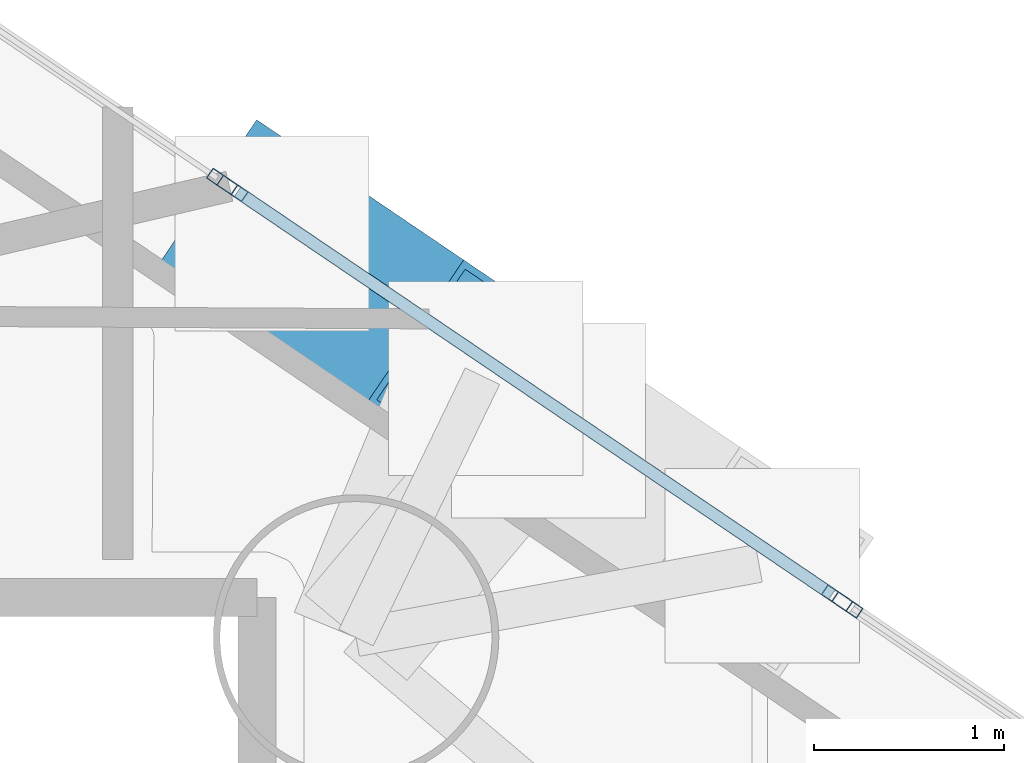
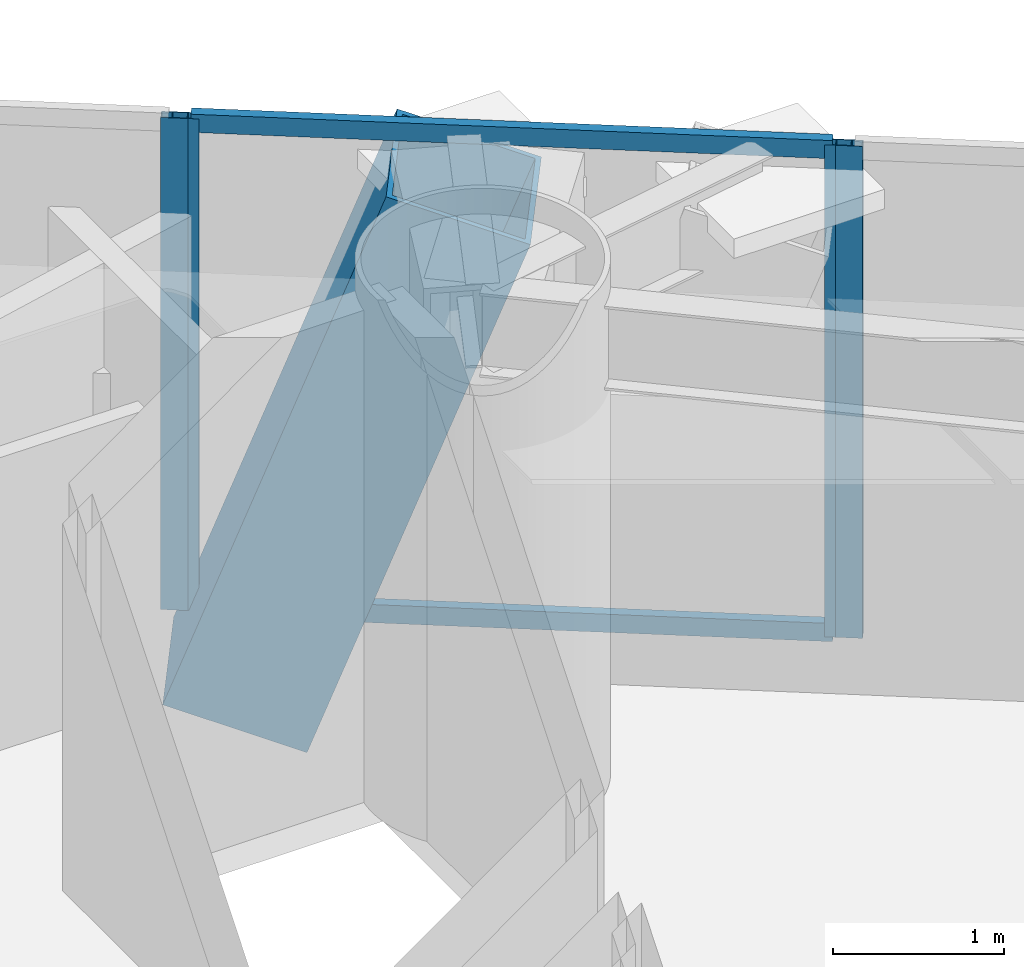
# One storey, part 11 of 21: 7 members, 3 elements without a shape of their own.
"""IFC4 building model written with IfcOpenShell, lengths in metres."""

from ifc_helpers import new_model, si_unit, direction, frame, origin, origin_2d, place, context, subcontext, project, spatial, hollow_rectangle, extrude, material, layer, layer_set, material_profile, profile_set, type_object, element, aggregate, save


model = new_model("IFC4")

# Units and contexts
model_context = context("Model", 3, precision=1e-05, world=origin(), true_north=direction((0.0, 1.0)))
body_context = subcontext(model_context, "Body", "Model", "MODEL_VIEW")
ifc_project = project(units=[si_unit("LENGTHUNIT", "METRE"), si_unit("AREAUNIT", "SQUARE_METRE"), si_unit("VOLUMEUNIT", "CUBIC_METRE"), si_unit("PLANEANGLEUNIT", "RADIAN"), si_unit("MASSUNIT", "GRAM", prefix="KILO")], contexts=[model_context])

# Site, building, storey
site_placement = place(None, origin())
site = spatial("IfcSite", under=ifc_project, at=site_placement, CompositionType="ELEMENT")
building_placement = place(site_placement, origin())
building = spatial("IfcBuilding", under=site, at=building_placement, Name="Qianvela Tower", CompositionType="ELEMENT")
storey_placement = place(building_placement, frame((0.0, 0.0, 112.60009765625)))
storey = spatial("IfcBuildingStorey", under=building, at=storey_placement, Name="L28", CompositionType="ELEMENT", Elevation=112.60009765625)

# Curtain wall, members
ifc_material_1 = material(Name="Anodised Architectural Aluminium and Insulated Spandrel Panel", Category="aluminium")
ifc_layer_1 = layer(ifc_material_1, 0.179931640625)
ifc_layer_set_1 = layer_set([ifc_layer_1], Name="Anodised Architectural Aluminium and Insulated Spandrel Panel")
curtain_wall_type_1 = type_object("IfcCurtainWallType", Name="CW-BRACEBAY", PredefinedType="USERDEFINED", material=ifc_layer_set_1)
curtain_wall_1_placement = place(storey_placement, origin())
curtain_wall_1 = element("IfcCurtainWall", 1, at=curtain_wall_1_placement, inside=storey, type_object=curtain_wall_type_1, Name="L28 CW-BRACEBAY Curtain Wall 02B", ObjectType="CURTAIN_WALL_SYSTEM", PredefinedType="USERDEFINED")
ifc_material_2 = material(Name="Anodised Architectural Aluminium 6063-T6", Category="aluminium")
ifc_material_profile_1 = material_profile(ifc_material_2, hollow_rectangle(XDim=0.06494140625, YDim=0.159912109375, WallThickness=0.0048828125, at=origin_2d()), Name="ALU-MULL-65x160")
ifc_profile_set_1 = profile_set([ifc_material_profile_1], Name="Anodised Architectural Aluminium 6063-T6")
member_type_1 = type_object("IfcMemberType", Name="CW-BRACEBAY-MULL", PredefinedType="MULLION", material=ifc_profile_set_1)
member_1_placement = place(storey_placement, frame((46.597412109375, 35.27783203125, 0.0), z_axis=(0.0, 0.0, 1.0), x_axis=(-0.560827167375, -0.827932900864, 0.0)))
member_1 = element("IfcMember", 2, at=member_1_placement, type_object=member_type_1, Name="CW-9 mullion 1", PredefinedType="MULLION", context=body_context, shape_type="SweptSolid", body=[
    extrude(hollow_rectangle(XDim=0.06494140625, YDim=0.159912109375, WallThickness=0.0048828125, at=origin_2d()), origin(), (0.0, 0.0, 1.0), 3.52001953125),
])
member_2_placement = place(storey_placement, frame((43.42236328125, 37.428466796875, 0.0), z_axis=(0.0, 0.0, 1.0), x_axis=(-0.560827167375, -0.827932900864, 0.0)))
member_2 = element("IfcMember", 3, at=member_2_placement, type_object=member_type_1, Name="CW-9 mullion 2", PredefinedType="MULLION", context=body_context, shape_type="SweptSolid", body=[
    extrude(hollow_rectangle(XDim=0.06494140625, YDim=0.159912109375, WallThickness=0.0048828125, at=origin_2d()), origin(), (0.0, 0.0, 1.0), 3.52001953125),
])
ifc_material_3 = material(Name="Anodised Architectural Aluminium 6063-T6", Category="aluminium")
ifc_material_profile_2 = material_profile(ifc_material_3, hollow_rectangle(XDim=0.06494140625, YDim=0.1298828125, WallThickness=0.00439453125, at=origin_2d()), Name="ALU-TRAN-65x130")
ifc_profile_set_2 = profile_set([ifc_material_profile_2], Name="Anodised Architectural Aluminium 6063-T6")
member_type_2 = type_object("IfcMemberType", Name="CW-BRACEBAY-TRAN", PredefinedType="USERDEFINED", material=ifc_profile_set_2)
member_3_placement = place(storey_placement, frame((46.570556640625, 35.2958984375, 0.032470703125), z_axis=(-0.827942939671, 0.56081234709, 0.0), x_axis=(-0.56081234709, -0.827942939671, 0.0)))
member_3 = element("IfcMember", 4, at=member_3_placement, type_object=member_type_2, Name="CW-9 transom 1.1", ObjectType="TRANSOM", PredefinedType="USERDEFINED", context=body_context, shape_type="SweptSolid", body=[
    extrude(hollow_rectangle(XDim=0.06494140625, YDim=0.1298828125, WallThickness=0.00439453125, at=origin_2d()), origin(), (0.0, 0.0, 1.0), 3.77001953125),
])
member_4_placement = place(storey_placement, frame((46.570556640625, 35.2958984375, 3.4873046875), z_axis=(-0.827942939671, 0.56081234709, 0.0), x_axis=(-0.56081234709, -0.827942939671, 0.0)))
member_4 = element("IfcMember", 5, at=member_4_placement, type_object=member_type_2, Name="CW-9 transom 1.2", ObjectType="TRANSOM", PredefinedType="USERDEFINED", context=body_context, shape_type="SweptSolid", body=[
    extrude(hollow_rectangle(XDim=0.06494140625, YDim=0.1298828125, WallThickness=0.00439453125, at=origin_2d()), origin(), (0.0, 0.0, 1.0), 3.77001953125),
])
aggregate(curtain_wall_1, [member_1, member_2, member_3, member_4])

# Curtain wall, member
ifc_material_4 = material(Name="Anodised Architectural Aluminium and Low-E Glass", Category="aluminium")
ifc_layer_2 = layer(ifc_material_4, 0.169921875)
ifc_layer_set_2 = layer_set([ifc_layer_2], Name="Anodised Architectural Aluminium and Low-E Glass")
curtain_wall_type_2 = type_object("IfcCurtainWallType", Name="CW-COLIV-Z34", PredefinedType="USERDEFINED", material=ifc_layer_set_2)
curtain_wall_2_placement = place(storey_placement, origin())
curtain_wall_2 = element("IfcCurtainWall", 6, at=curtain_wall_2_placement, inside=storey, type_object=curtain_wall_type_2, Name="L28 CW-COLIV-Z34 Curtain Wall 02A", ObjectType="CURTAIN_WALL_SYSTEM", PredefinedType="USERDEFINED")
ifc_material_5 = material(Name="Anodised Architectural Aluminium 6063-T6", Category="aluminium")
ifc_material_profile_3 = material_profile(ifc_material_5, hollow_rectangle(XDim=0.06494140625, YDim=0.159912109375, WallThickness=0.0048828125, at=origin_2d()), Name="ALU-MULL-65x160")
ifc_profile_set_3 = profile_set([ifc_material_profile_3], Name="Anodised Architectural Aluminium 6063-T6")
member_type_3 = type_object("IfcMemberType", Name="CW-COLIV-Z34-MULL", PredefinedType="MULLION", material=ifc_profile_set_3)
member_5_placement = place(storey_placement, frame((46.651123046875, 35.2412109375, 0.0), z_axis=(0.0, 0.0, 1.0), x_axis=(-0.560826733524, -0.827933194748, 0.0)))
member_5 = element("IfcMember", 7, at=member_5_placement, type_object=member_type_3, Name="CW-4 mullion 3", PredefinedType="MULLION", context=body_context, shape_type="SweptSolid", body=[
    extrude(hollow_rectangle(XDim=0.06494140625, YDim=0.159912109375, WallThickness=0.0048828125, at=origin_2d()), origin(), (0.0, 0.0, 1.0), 3.52001953125),
])
aggregate(curtain_wall_2, [member_5])

curtain_wall_3_placement = place(storey_placement, origin())
curtain_wall_3 = element("IfcCurtainWall", 8, at=curtain_wall_3_placement, inside=storey, type_object=curtain_wall_type_2, Name="L28 CW-COLIV-Z34 Curtain Wall 02C", ObjectType="CURTAIN_WALL_SYSTEM", PredefinedType="USERDEFINED")
member_6_placement = place(storey_placement, frame((43.368408203125, 37.46484375, 0.0), z_axis=(0.0, 0.0, 1.0), x_axis=(-0.560825274664, -0.827934182951, 0.0)))
member_6 = element("IfcMember", 9, at=member_6_placement, type_object=member_type_3, Name="CW-4 mullion 1", PredefinedType="MULLION", context=body_context, shape_type="SweptSolid", body=[
    extrude(hollow_rectangle(XDim=0.06494140625, YDim=0.159912109375, WallThickness=0.0048828125, at=origin_2d()), origin(), (0.0, 0.0, 1.0), 3.52001953125),
])
aggregate(curtain_wall_3, [member_6])

# Member
ifc_material_6 = material(Name="Steel Q420GJC", Category="steel")
ifc_material_profile_4 = material_profile(ifc_material_6, hollow_rectangle(XDim=0.89990234375, YDim=0.89990234375, WallThickness=0.035888671875, at=origin_2d()), Name="MBOX-900x900x36")
ifc_profile_set_4 = profile_set([ifc_material_profile_4], Name="Steel Q420GJC")
member_type_4 = type_object("IfcMemberType", Name="MBR-MBRACE-900", PredefinedType="BRACE", material=ifc_profile_set_4)
member_7_placement = place(storey_placement, frame((43.648193359375, 37.1787109375, -0.482177734375), z_axis=(0.276839727805, -0.187482430219, 0.942448992502), x_axis=(0.560737107803, 0.827993898487, 0.0)))
element("IfcMember", 10, at=member_7_placement, inside=storey, type_object=member_type_4, Name="L28 Tier 4 Exterior Mega-Brace F1B", PredefinedType="BRACE", context=body_context, shape_type="SweptSolid", body=[
    extrude(hollow_rectangle(XDim=0.89990234375, YDim=0.89990234375, WallThickness=0.035888671875, at=origin_2d()), origin(), (0.0, 0.0, 1.0), 3.92626953125),
])

save(model, "model.ifc")
